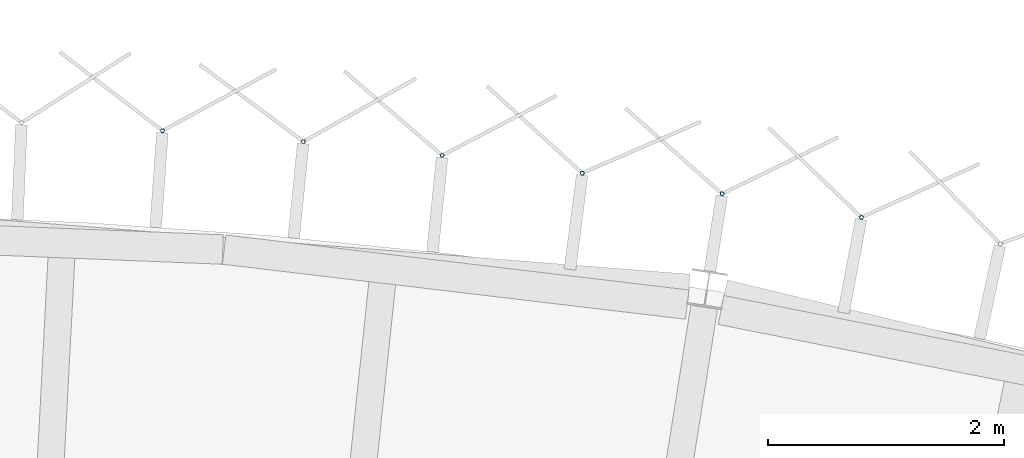
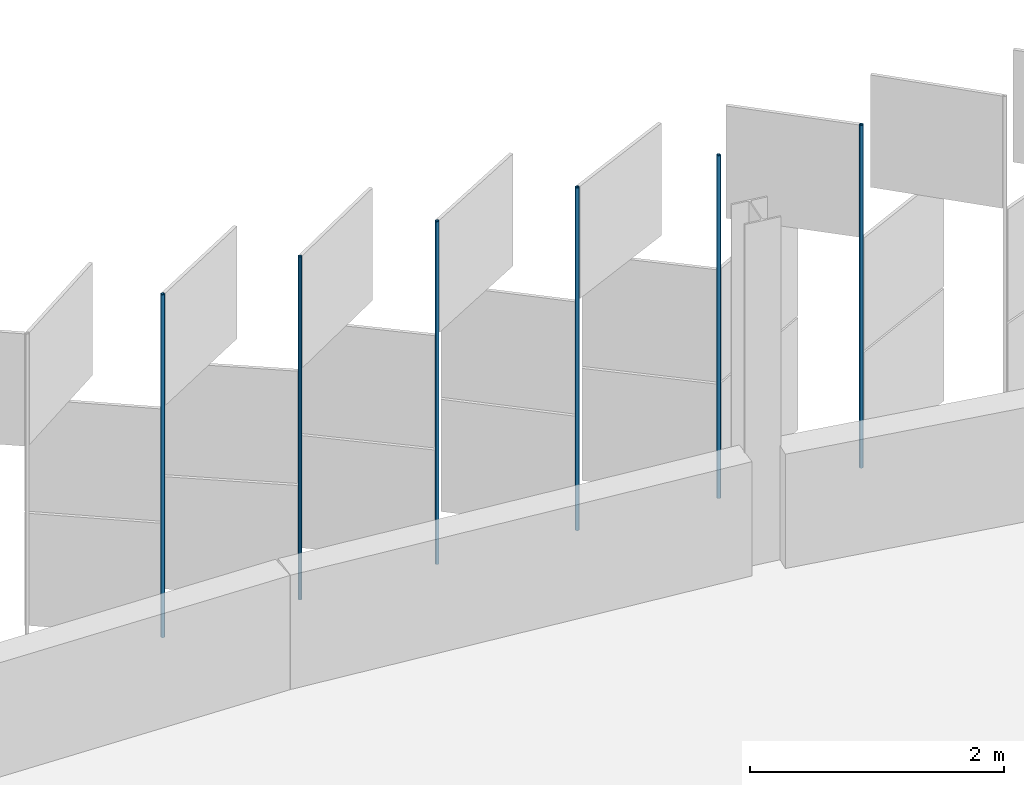
# One storey, part 157 of 198: 6 discrete accessories.
"""IFC4 building model written with IfcOpenShell, lengths in metres."""

import ifcopenshell
import ifcopenshell.guid

model = None  # the IFC model being written
_history = None  # IfcOwnerHistory: only IFC2X3 demands one
_inside = {}  # id of a spatial element -> (the spatial element, [elements in it])
_under = {}  # id of a project, library or spatial element -> (it, [spatial elements below it])
_declared = {}  # id of a project -> (the project, [libraries it declares])
_typed = {}  # id of a type object -> (the type object, [elements of that type])
_made_of = {}  # id of a material, layer set ... -> (it, [elements and type objects made of it])


def new_model(schema):
    """Start an empty IFC model of exactly this schema.

    Asked for "IFC4X3", IfcOpenShell would pick the latest addendum, in which some entities
    have other attributes; the version numbers below select the first issue.
    IFC2X3 requires an IfcOwnerHistory on every rooted entity: one is made here for all.
    """
    global model, _history
    if schema == "IFC4X3":
        model = ifcopenshell.file(schema_version=(4, 3, 0, 0))
    else:
        model = ifcopenshell.file(schema=schema)
    _inside.clear()
    _under.clear()
    _declared.clear()
    _typed.clear()
    _made_of.clear()
    _history = None
    if model.schema == "IFC2X3":
        org = make("IfcOrganization", Name="unknown")
        user = make(
            "IfcPersonAndOrganization",
            ThePerson=make("IfcPerson", FamilyName="unknown"),
            TheOrganization=org,
        )
        app = make(
            "IfcApplication",
            ApplicationDeveloper=org,
            Version="unknown",
            ApplicationFullName="unknown",
            ApplicationIdentifier="unknown",
        )
        _history = make(
            "IfcOwnerHistory",
            OwningUser=user,
            OwningApplication=app,
            ChangeAction="ADDED",
            CreationDate=0,
        )
    return model


def make(cls, **values):
    """One entity of the class cls with the attributes given. An attribute that is None is left unset."""
    return model.create_entity(
        cls, **{name: value for name, value in values.items() if value is not None}
    )


def rooted(cls, **values):
    """An entity with a GlobalId (a new one), such as an element, a storey or a relation."""
    return make(cls, GlobalId=ifcopenshell.guid.new(), OwnerHistory=_history, **values)


def si_unit(unit_type, name, prefix=None):
    """IfcSIUnit, for example si_unit("LENGTHUNIT", "METRE", prefix="MILLI")."""
    return make("IfcSIUnit", UnitType=unit_type, Prefix=prefix, Name=name)


def assignment(units):
    """IfcUnitAssignment: the units of a project."""
    return None if units is None else make("IfcUnitAssignment", Units=units)


def point(xyz):
    """IfcCartesianPoint."""
    return None if xyz is None else make("IfcCartesianPoint", Coordinates=xyz)


def direction(xyz):
    """IfcDirection."""
    return None if xyz is None else make("IfcDirection", DirectionRatios=xyz)


def frame(location, z_axis=None, x_axis=None):
    """IfcAxis2Placement3D, a coordinate frame: its origin and axes. An axis left out is left unset."""
    return make(
        "IfcAxis2Placement3D",
        Location=point(location),
        Axis=direction(z_axis),
        RefDirection=direction(x_axis),
    )


def frame_2d(location, x_axis=None):
    """IfcAxis2Placement2D, a coordinate frame in the plane: its origin and x axis."""
    return make(
        "IfcAxis2Placement2D", Location=point(location), RefDirection=direction(x_axis)
    )


def origin():
    """The frame at (0, 0, 0) with its axes left unset."""
    return frame((0.0, 0.0, 0.0))


def origin_2d():
    """The frame at (0, 0) in the plane with its x axis left unset."""
    return frame_2d((0.0, 0.0))


def place(relative_to, where):
    """IfcLocalPlacement: puts the frame where relative to a parent placement (None: the world)."""
    return make(
        "IfcLocalPlacement", PlacementRelTo=relative_to, RelativePlacement=where
    )


def context(
    kind, dimensions, precision=None, world=None, true_north=None, identifier=None
):
    """IfcGeometricRepresentationContext, for example the 3D "Model" context."""
    return make(
        "IfcGeometricRepresentationContext",
        ContextIdentifier=identifier,
        ContextType=kind,
        CoordinateSpaceDimension=dimensions,
        Precision=precision,
        WorldCoordinateSystem=world,
        TrueNorth=true_north,
    )


def subcontext(parent, identifier, kind, view, scale=None):
    """IfcGeometricRepresentationSubContext, for example "Body" below "Model"."""
    return make(
        "IfcGeometricRepresentationSubContext",
        ContextIdentifier=identifier,
        ContextType=kind,
        ParentContext=parent,
        TargetScale=scale,
        TargetView=view,
    )


def project(units=None, contexts=None):
    """IfcProject with its units and contexts."""
    return rooted(
        "IfcProject",
        Name="project",
        RepresentationContexts=contexts,
        UnitsInContext=assignment(units),
    )


def spatial(cls, under=None, at=None, **own):
    """A site, building, storey or space (cls), placed at a placement, below another one or the project."""
    s = rooted(cls, ObjectPlacement=at, **own)
    if under is not None:
        _under.setdefault(under.id(), (under, []))[1].append(s)
    return s


def profile(cls, at=None, kind="AREA", **sizes):
    """A parametric profile (cls). Its sizes go by their IFC names, for example OverallWidth=200.0."""
    return make(cls, ProfileType=kind, Position=at, **sizes)


def hollow_circle(**sizes):
    """IfcCircleHollowProfileDef."""
    return profile("IfcCircleHollowProfileDef", **sizes)


def extrude(swept, where, along, depth):
    """IfcExtrudedAreaSolid: the profile swept, set in the frame where, extruded along a direction by depth."""
    return make(
        "IfcExtrudedAreaSolid",
        SweptArea=swept,
        Position=where,
        ExtrudedDirection=direction(along),
        Depth=depth,
    )


def shape(context_of_items, identifier, shape_type, items):
    """IfcShapeRepresentation: the items that make up one representation, for example the "Body"."""
    return make(
        "IfcShapeRepresentation",
        ContextOfItems=context_of_items,
        RepresentationIdentifier=identifier,
        RepresentationType=shape_type,
        Items=items,
    )


def material(Name=None, Category=None):
    """IfcMaterial."""
    return make("IfcMaterial", Name=Name, Category=Category)


def material_profile(
    of_material, cross_section, Name=None, Category=None, Priority=None
):
    """IfcMaterialProfile: a cross section and its material."""
    return make(
        "IfcMaterialProfile",
        Name=Name,
        Material=of_material,
        Profile=cross_section,
        Priority=Priority,
        Category=Category,
    )


def profile_set(profiles, Name=None, composite=None):
    """IfcMaterialProfileSet."""
    return make(
        "IfcMaterialProfileSet",
        Name=Name,
        MaterialProfiles=profiles,
        CompositeProfile=composite,
    )


def made_of(thing, what):
    """Note that an element or type object is made of a material, layer set ...; save() writes the relation."""
    if what is not None:
        _made_of.setdefault(what.id(), (what, []))[1].append(thing)
    return thing


def type_object(cls, material=None, **own):
    """A type object (cls), such as IfcWallType, which elements share."""
    return made_of(rooted(cls, **own), material)


def element(
    cls,
    number,
    at=None,
    inside=None,
    cuts=None,
    type_object=None,
    material=None,
    context=None,
    identifier="Body",
    shape_type=None,
    held_by="IfcProductDefinitionShape",
    body=None,
    shapes=None,
    **own,
):
    """One element of the class cls, such as IfcWall. Its Tag is "e" and its number.

    at: its placement. inside: the storey or other place that contains it. cuts: it is an
    opening in that element (IfcRelVoidsElement). A single representation is given by context,
    identifier, shape_type and body (its items); several are given by shapes. held_by: the class
    of the entity that holds the representations. save() writes the other relations.
    """
    e = rooted(cls, Tag="e%d" % number, ObjectPlacement=at, **own)
    if body is not None:
        shapes = [shape(context, identifier, shape_type, body)]
    if shapes is not None:
        e.Representation = make(held_by, Representations=shapes)
    if inside is not None:
        _inside.setdefault(inside.id(), (inside, []))[1].append(e)
    if cuts is not None:
        rooted(
            "IfcRelVoidsElement", RelatingBuildingElement=cuts, RelatedOpeningElement=e
        )
    if type_object is not None:
        _typed.setdefault(type_object.id(), (type_object, []))[1].append(e)
    return made_of(e, material)


def aggregate(whole, parts):
    """IfcRelAggregates: a whole, such as a stair, and the parts it consists of."""
    return rooted("IfcRelAggregates", RelatingObject=whole, RelatedObjects=parts)


def save(model, path):
    """Write the relations noted so far, then the file.

    IfcRelAggregates (storeys below a building ...), IfcRelContainedInSpatialStructure (elements
    in a storey), IfcRelDefinesByType, IfcRelAssociatesMaterial and IfcRelDeclares: one each for
    every whole, place, type object, material and project.
    """
    for whole, parts in _under.values():
        aggregate(whole, parts)
    for where, things in _inside.values():
        rooted(
            "IfcRelContainedInSpatialStructure",
            RelatedElements=things,
            RelatingStructure=where,
        )
    for kind, things in _typed.values():
        rooted("IfcRelDefinesByType", RelatedObjects=things, RelatingType=kind)
    for what, things in _made_of.values():
        rooted("IfcRelAssociatesMaterial", RelatedObjects=things, RelatingMaterial=what)
    for by, libraries in _declared.values():
        rooted("IfcRelDeclares", RelatingContext=by, RelatedDefinitions=libraries)
    model.write(path)


model = new_model("IFC4")

# Units and contexts
model_context = context("Model", 3, precision=1e-05, world=origin(), true_north=direction((0.0, 1.0)))
body_context = subcontext(model_context, "Body", "Model", "MODEL_VIEW")
ifc_project = project(units=[si_unit("LENGTHUNIT", "METRE"), si_unit("AREAUNIT", "SQUARE_METRE"), si_unit("VOLUMEUNIT", "CUBIC_METRE"), si_unit("PLANEANGLEUNIT", "RADIAN"), si_unit("MASSUNIT", "GRAM", prefix="KILO")], contexts=[model_context])

# Site, building, storey
site_placement = place(None, origin())
site = spatial("IfcSite", under=ifc_project, at=site_placement, CompositionType="ELEMENT")
building_placement = place(site_placement, origin())
building = spatial("IfcBuilding", under=site, at=building_placement, Name="Parallax Yard Mobility Hub", CompositionType="ELEMENT")
storey_placement = place(building_placement, frame((0.0, 0.0, 6.60009765625)))
storey = spatial("IfcBuildingStorey", under=building, at=storey_placement, Name="L02", CompositionType="ELEMENT", Elevation=6.60009765625)

# Discrete accessories
ifc_material = material(Name="Steel ASTM A500 Gr C, hot-dip galvanised", Category="steel")
ifc_material_profile = material_profile(ifc_material, hollow_circle(Radius=0.016845703125, WallThickness=0.003173828125, at=origin_2d()), Name="CHS 33.7x3.2")
ifc_profile_set = profile_set([ifc_material_profile], Name="Steel ASTM A500 Gr C, hot-dip galvanised")
discrete_accessory_type = type_object("IfcDiscreteAccessoryType", Name="Hinge post CHS 33.7x3.2", PredefinedType="BRACKET", material=ifc_profile_set)
for number, where, z_axis, x_axis, name in (
    (1, (182.02392578125, 142.4619140625, 0.0), (0.0, 0.0, 1.0), (1.0, 0.0, 0.0), "Hinge post bay 49.7 level L02"),
    (2, (180.84130859375, 142.662109375, 0.0), (0.0, 0.0, 1.0), (1.0, 0.0, 0.0), "Hinge post bay 50.1 level L02"),
    (3, (179.654541015625, 142.83740234375, 0.0), (0.0, 0.0, 1.0), (1.0, 0.0, 0.0), "Hinge post bay 50.2 level L02"),
    (4, (178.464599609375, 142.98779296875, 0.0), (0.0, 0.0, 1.0), (1.0, 0.0, 0.0), "Hinge post bay 50.3 level L02"),
    (5, (177.285888671875, 143.10595703125, 0.0), (0.0, 0.0, 1.0), (1.0, 0.0, 0.0), "Hinge post bay 50.4 level L02"),
    (6, (176.090087890625, 143.197998046875, 0.0), (0.0, 0.0, 1.0), (1.0, 0.0, 0.0), "Hinge post bay 50.5 level L02"),
):
    element("IfcDiscreteAccessory", number, at=place(storey_placement, frame(where, z_axis=z_axis, x_axis=x_axis)), inside=storey, type_object=discrete_accessory_type, Name=name, PredefinedType="BRACKET", context=body_context, shape_type="SweptSolid", body=[
        extrude(hollow_circle(Radius=0.016845703125, WallThickness=0.003173828125, at=origin_2d()), origin(), (0.0, 0.0, 1.0), 3.2998046875),
    ])

save(model, "model.ifc")
